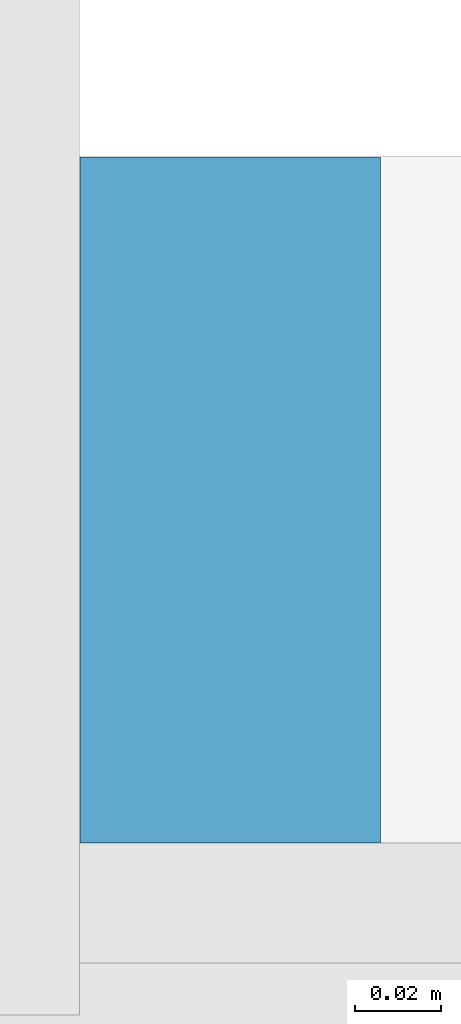
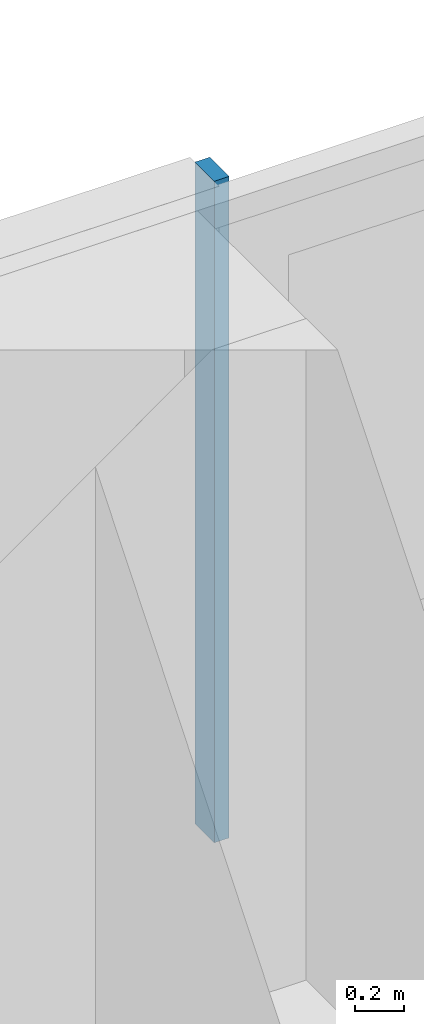
# One storey, part 12 of 30: 1 member, 1 element without a shape of its own.
"""IFC4 building model written with IfcOpenShell, lengths in metres."""

from ifc_helpers import new_model, si_unit, direction, frame, origin, origin_2d, place, context, subcontext, project, spatial, rectangle, extrude, material, material_profile, profile_set, type_object, element, aggregate, save


model = new_model("IFC4")

# Units and contexts
model_context = context("Model", 3, precision=1e-05, world=origin(), true_north=direction((0.0, 1.0)))
body_context = subcontext(model_context, "Body", "Model", "MODEL_VIEW")
ifc_project = project(units=[si_unit("LENGTHUNIT", "METRE"), si_unit("AREAUNIT", "SQUARE_METRE"), si_unit("VOLUMEUNIT", "CUBIC_METRE"), si_unit("PLANEANGLEUNIT", "RADIAN"), si_unit("MASSUNIT", "GRAM", prefix="KILO")], contexts=[model_context])

# Site, building, storey
site_placement = place(None, origin())
site = spatial("IfcSite", under=ifc_project, at=site_placement, CompositionType="ELEMENT")
building_placement = place(site_placement, origin())
building = spatial("IfcBuilding", under=site, at=building_placement, Name="Saffron Gate Tower", CompositionType="ELEMENT")
storey_placement = place(building_placement, frame((0.0, 0.0, 127.64990234375)))
storey = spatial("IfcBuildingStorey", under=building, at=storey_placement, Name="L30", CompositionType="ELEMENT", Elevation=127.64990234375)

# Curtain wall, member
ifc_material = material(Name="Aluminium, bronze anodised", Category="aluminium")
curtain_wall_type = type_object("IfcCurtainWallType", Name="CWS3 curtain wall rear facade", PredefinedType="NOTDEFINED", material=ifc_material)
curtain_wall_placement = place(storey_placement, origin())
curtain_wall = element("IfcCurtainWall", 1, at=curtain_wall_placement, inside=storey, type_object=curtain_wall_type, Name="CWS3 run 7", PredefinedType="NOTDEFINED")
ifc_material_profile = material_profile(ifc_material, rectangle(XDim=0.159912109375, YDim=0.070068359375, at=origin_2d()))
ifc_profile_set = profile_set([ifc_material_profile], Name="Aluminium, bronze anodised")
member_type = type_object("IfcMemberType", Name="CWS3 mullion 70x160", PredefinedType="MULLION", material=ifc_profile_set)
member_placement = place(storey_placement, frame((108.60009765625, 75.52001953125, 0.0), z_axis=(0.0, 0.0, 1.0), x_axis=(0.0, -1.0, 0.0)))
member = element("IfcMember", 2, at=member_placement, type_object=member_type, Name="CWS3 mullion 3", PredefinedType="MULLION", context=body_context, shape_type="SweptSolid", body=[
    extrude(rectangle(XDim=0.159912109375, YDim=0.070068359375, at=origin_2d()), origin(), (0.0, 0.0, 1.0), 3.320068359375),
])
aggregate(curtain_wall, [member])

save(model, "model.ifc")
